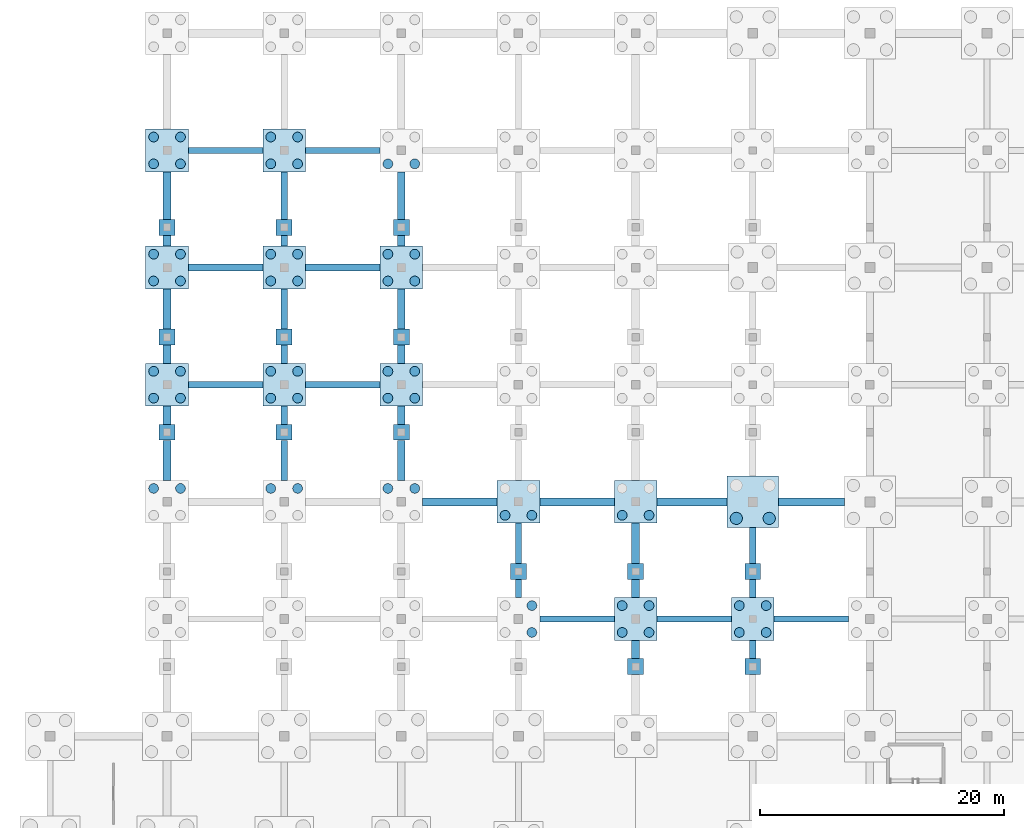
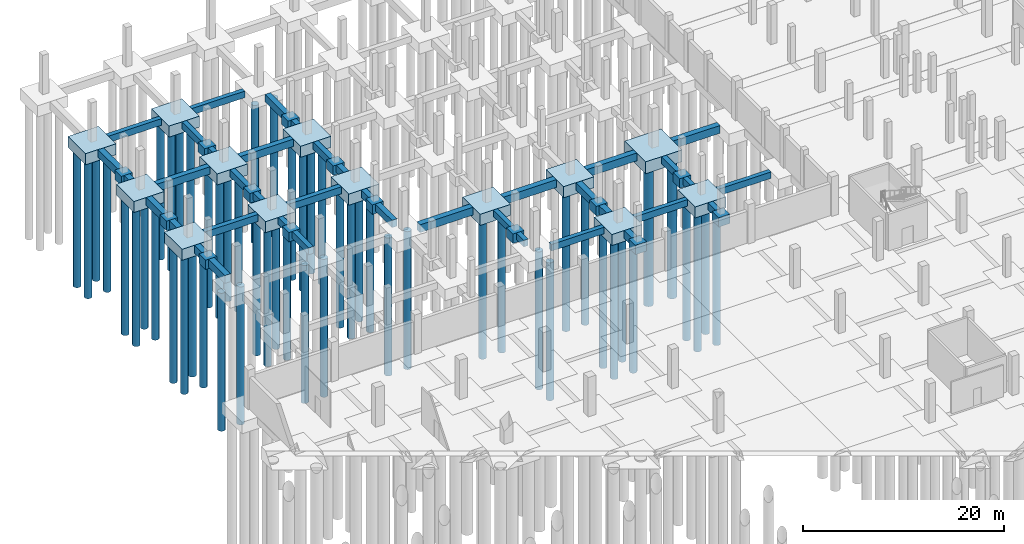
# One storey, part 7 of 39: 66 footings, 56 piles.
"""IFC4 building model written with IfcOpenShell, lengths in metres."""

import ifcopenshell
import ifcopenshell.guid

model = None  # the IFC model being written
_history = None  # IfcOwnerHistory: only IFC2X3 demands one
_inside = {}  # id of a spatial element -> (the spatial element, [elements in it])
_under = {}  # id of a project, library or spatial element -> (it, [spatial elements below it])
_declared = {}  # id of a project -> (the project, [libraries it declares])
_typed = {}  # id of a type object -> (the type object, [elements of that type])
_made_of = {}  # id of a material, layer set ... -> (it, [elements and type objects made of it])


def new_model(schema):
    """Start an empty IFC model of exactly this schema.

    Asked for "IFC4X3", IfcOpenShell would pick the latest addendum, in which some entities
    have other attributes; the version numbers below select the first issue.
    IFC2X3 requires an IfcOwnerHistory on every rooted entity: one is made here for all.
    """
    global model, _history
    if schema == "IFC4X3":
        model = ifcopenshell.file(schema_version=(4, 3, 0, 0))
    else:
        model = ifcopenshell.file(schema=schema)
    _inside.clear()
    _under.clear()
    _declared.clear()
    _typed.clear()
    _made_of.clear()
    _history = None
    if model.schema == "IFC2X3":
        org = make("IfcOrganization", Name="unknown")
        user = make(
            "IfcPersonAndOrganization",
            ThePerson=make("IfcPerson", FamilyName="unknown"),
            TheOrganization=org,
        )
        app = make(
            "IfcApplication",
            ApplicationDeveloper=org,
            Version="unknown",
            ApplicationFullName="unknown",
            ApplicationIdentifier="unknown",
        )
        _history = make(
            "IfcOwnerHistory",
            OwningUser=user,
            OwningApplication=app,
            ChangeAction="ADDED",
            CreationDate=0,
        )
    return model


def make(cls, **values):
    """One entity of the class cls with the attributes given. An attribute that is None is left unset."""
    return model.create_entity(
        cls, **{name: value for name, value in values.items() if value is not None}
    )


def rooted(cls, **values):
    """An entity with a GlobalId (a new one), such as an element, a storey or a relation."""
    return make(cls, GlobalId=ifcopenshell.guid.new(), OwnerHistory=_history, **values)


def si_unit(unit_type, name, prefix=None):
    """IfcSIUnit, for example si_unit("LENGTHUNIT", "METRE", prefix="MILLI")."""
    return make("IfcSIUnit", UnitType=unit_type, Prefix=prefix, Name=name)


def assignment(units):
    """IfcUnitAssignment: the units of a project."""
    return None if units is None else make("IfcUnitAssignment", Units=units)


def point(xyz):
    """IfcCartesianPoint."""
    return None if xyz is None else make("IfcCartesianPoint", Coordinates=xyz)


def direction(xyz):
    """IfcDirection."""
    return None if xyz is None else make("IfcDirection", DirectionRatios=xyz)


def frame(location, z_axis=None, x_axis=None):
    """IfcAxis2Placement3D, a coordinate frame: its origin and axes. An axis left out is left unset."""
    return make(
        "IfcAxis2Placement3D",
        Location=point(location),
        Axis=direction(z_axis),
        RefDirection=direction(x_axis),
    )


def frame_2d(location, x_axis=None):
    """IfcAxis2Placement2D, a coordinate frame in the plane: its origin and x axis."""
    return make(
        "IfcAxis2Placement2D", Location=point(location), RefDirection=direction(x_axis)
    )


def origin():
    """The frame at (0, 0, 0) with its axes left unset."""
    return frame((0.0, 0.0, 0.0))


def origin_2d():
    """The frame at (0, 0) in the plane with its x axis left unset."""
    return frame_2d((0.0, 0.0))


def place(relative_to, where):
    """IfcLocalPlacement: puts the frame where relative to a parent placement (None: the world)."""
    return make(
        "IfcLocalPlacement", PlacementRelTo=relative_to, RelativePlacement=where
    )


def context(
    kind, dimensions, precision=None, world=None, true_north=None, identifier=None
):
    """IfcGeometricRepresentationContext, for example the 3D "Model" context."""
    return make(
        "IfcGeometricRepresentationContext",
        ContextIdentifier=identifier,
        ContextType=kind,
        CoordinateSpaceDimension=dimensions,
        Precision=precision,
        WorldCoordinateSystem=world,
        TrueNorth=true_north,
    )


def subcontext(parent, identifier, kind, view, scale=None):
    """IfcGeometricRepresentationSubContext, for example "Body" below "Model"."""
    return make(
        "IfcGeometricRepresentationSubContext",
        ContextIdentifier=identifier,
        ContextType=kind,
        ParentContext=parent,
        TargetScale=scale,
        TargetView=view,
    )


def project(units=None, contexts=None):
    """IfcProject with its units and contexts."""
    return rooted(
        "IfcProject",
        Name="project",
        RepresentationContexts=contexts,
        UnitsInContext=assignment(units),
    )


def spatial(cls, under=None, at=None, **own):
    """A site, building, storey or space (cls), placed at a placement, below another one or the project."""
    s = rooted(cls, ObjectPlacement=at, **own)
    if under is not None:
        _under.setdefault(under.id(), (under, []))[1].append(s)
    return s


def polyline(points):
    """IfcPolyline through the points."""
    return make("IfcPolyline", Points=[point(p) for p in points])


def profile(cls, at=None, kind="AREA", **sizes):
    """A parametric profile (cls). Its sizes go by their IFC names, for example OverallWidth=200.0."""
    return make(cls, ProfileType=kind, Position=at, **sizes)


def rectangle(**sizes):
    """IfcRectangleProfileDef."""
    return profile("IfcRectangleProfileDef", **sizes)


def circle(**sizes):
    """IfcCircleProfileDef."""
    return profile("IfcCircleProfileDef", **sizes)


def outline(outer, holes=None, kind="AREA"):
    """IfcArbitraryClosedProfileDef: a profile drawn as a closed curve; with holes, ...WithVoids."""
    if holes is None:
        return make("IfcArbitraryClosedProfileDef", ProfileType=kind, OuterCurve=outer)
    return make(
        "IfcArbitraryProfileDefWithVoids",
        ProfileType=kind,
        OuterCurve=outer,
        InnerCurves=holes,
    )


def extrude(swept, where, along, depth):
    """IfcExtrudedAreaSolid: the profile swept, set in the frame where, extruded along a direction by depth."""
    return make(
        "IfcExtrudedAreaSolid",
        SweptArea=swept,
        Position=where,
        ExtrudedDirection=direction(along),
        Depth=depth,
    )


def shape(context_of_items, identifier, shape_type, items):
    """IfcShapeRepresentation: the items that make up one representation, for example the "Body"."""
    return make(
        "IfcShapeRepresentation",
        ContextOfItems=context_of_items,
        RepresentationIdentifier=identifier,
        RepresentationType=shape_type,
        Items=items,
    )


def material(Name=None, Category=None):
    """IfcMaterial."""
    return make("IfcMaterial", Name=Name, Category=Category)


def material_profile(
    of_material, cross_section, Name=None, Category=None, Priority=None
):
    """IfcMaterialProfile: a cross section and its material."""
    return make(
        "IfcMaterialProfile",
        Name=Name,
        Material=of_material,
        Profile=cross_section,
        Priority=Priority,
        Category=Category,
    )


def profile_set(profiles, Name=None, composite=None):
    """IfcMaterialProfileSet."""
    return make(
        "IfcMaterialProfileSet",
        Name=Name,
        MaterialProfiles=profiles,
        CompositeProfile=composite,
    )


def made_of(thing, what):
    """Note that an element or type object is made of a material, layer set ...; save() writes the relation."""
    if what is not None:
        _made_of.setdefault(what.id(), (what, []))[1].append(thing)
    return thing


def type_object(cls, material=None, **own):
    """A type object (cls), such as IfcWallType, which elements share."""
    return made_of(rooted(cls, **own), material)


def element(
    cls,
    number,
    at=None,
    inside=None,
    cuts=None,
    type_object=None,
    material=None,
    context=None,
    identifier="Body",
    shape_type=None,
    held_by="IfcProductDefinitionShape",
    body=None,
    shapes=None,
    **own,
):
    """One element of the class cls, such as IfcWall. Its Tag is "e" and its number.

    at: its placement. inside: the storey or other place that contains it. cuts: it is an
    opening in that element (IfcRelVoidsElement). A single representation is given by context,
    identifier, shape_type and body (its items); several are given by shapes. held_by: the class
    of the entity that holds the representations. save() writes the other relations.
    """
    e = rooted(cls, Tag="e%d" % number, ObjectPlacement=at, **own)
    if body is not None:
        shapes = [shape(context, identifier, shape_type, body)]
    if shapes is not None:
        e.Representation = make(held_by, Representations=shapes)
    if inside is not None:
        _inside.setdefault(inside.id(), (inside, []))[1].append(e)
    if cuts is not None:
        rooted(
            "IfcRelVoidsElement", RelatingBuildingElement=cuts, RelatedOpeningElement=e
        )
    if type_object is not None:
        _typed.setdefault(type_object.id(), (type_object, []))[1].append(e)
    return made_of(e, material)


def aggregate(whole, parts):
    """IfcRelAggregates: a whole, such as a stair, and the parts it consists of."""
    return rooted("IfcRelAggregates", RelatingObject=whole, RelatedObjects=parts)


def save(model, path):
    """Write the relations noted so far, then the file.

    IfcRelAggregates (storeys below a building ...), IfcRelContainedInSpatialStructure (elements
    in a storey), IfcRelDefinesByType, IfcRelAssociatesMaterial and IfcRelDeclares: one each for
    every whole, place, type object, material and project.
    """
    for whole, parts in _under.values():
        aggregate(whole, parts)
    for where, things in _inside.values():
        rooted(
            "IfcRelContainedInSpatialStructure",
            RelatedElements=things,
            RelatingStructure=where,
        )
    for kind, things in _typed.values():
        rooted("IfcRelDefinesByType", RelatedObjects=things, RelatingType=kind)
    for what, things in _made_of.values():
        rooted("IfcRelAssociatesMaterial", RelatedObjects=things, RelatingMaterial=what)
    for by, libraries in _declared.values():
        rooted("IfcRelDeclares", RelatingContext=by, RelatedDefinitions=libraries)
    model.write(path)


model = new_model("IFC4")

# Units and contexts
model_context = context("Model", 3, precision=1e-05, world=origin(), true_north=direction((0.0, 1.0)))
body_context = subcontext(model_context, "Body", "Model", "MODEL_VIEW")
ifc_project = project(units=[si_unit("LENGTHUNIT", "METRE"), si_unit("AREAUNIT", "SQUARE_METRE"), si_unit("VOLUMEUNIT", "CUBIC_METRE"), si_unit("PLANEANGLEUNIT", "RADIAN"), si_unit("MASSUNIT", "GRAM", prefix="KILO")], contexts=[model_context])

# Site, building, storey
site_placement = place(None, origin())
site = spatial("IfcSite", under=ifc_project, at=site_placement, CompositionType="ELEMENT")
building_placement = place(site_placement, origin())
building = spatial("IfcBuilding", under=site, at=building_placement, Name="Zarnetskaya Central Station", CompositionType="ELEMENT")
storey_placement = place(building_placement, frame((0.0, 0.0, -4.800048828125)))
storey = spatial("IfcBuildingStorey", under=building, at=storey_placement, Name="B1", CompositionType="ELEMENT", Elevation=-4.800048828125)

# Footings
ifc_material_1 = material(Name="Concrete C30/37", Category="concrete")
footing_type_1 = type_object("IfcFootingType", Name="FB-500x800", PredefinedType="FOOTING_BEAM", material=ifc_material_1)
footing_1_placement = place(storey_placement, frame((0.0, 0.0, -0.800048828125)))
element("IfcFooting", 1, at=footing_1_placement, inside=storey, type_object=footing_type_1, Name="Footing tie beam 10 E-F", PredefinedType="FOOTING_BEAM", context=body_context, shape_type="SweptSolid", body=[
    extrude(outline(polyline([(40.14990234375, 76.550048828125), (46.25, 76.550048828125), (46.25, 77.050048828125), (40.14990234375, 77.050048828125), (40.14990234375, 76.550048828125)])), origin(), (0.0, 0.0, 1.0), 0.800048828125),
])
footing_2_placement = place(storey_placement, frame((0.0, 0.0, -0.800048828125)))
element("IfcFooting", 2, at=footing_2_placement, inside=storey, type_object=footing_type_1, Name="Footing tie beam 10 F-G", PredefinedType="FOOTING_BEAM", context=body_context, shape_type="SweptSolid", body=[
    extrude(outline(polyline([(49.75, 76.550048828125), (55.85009765625, 76.550048828125), (55.85009765625, 77.050048828125), (49.75, 77.050048828125), (49.75, 76.550048828125)])), origin(), (0.0, 0.0, 1.0), 0.800048828125),
])
footing_3_placement = place(storey_placement, frame((0.0, 0.0, -0.800048828125)))
element("IfcFooting", 3, at=footing_3_placement, inside=storey, type_object=footing_type_1, Name="Footing tie beam 10 G-H", PredefinedType="FOOTING_BEAM", context=body_context, shape_type="SweptSolid", body=[
    extrude(outline(polyline([(59.35009765625, 76.550048828125), (65.449951171875, 76.550048828125), (65.449951171875, 77.050048828125), (59.35009765625, 77.050048828125), (59.35009765625, 76.550048828125)])), origin(), (0.0, 0.0, 1.0), 0.800048828125),
])
footing_4_placement = place(storey_placement, frame((0.0, 0.0, -0.800048828125)))
element("IfcFooting", 4, at=footing_4_placement, inside=storey, type_object=footing_type_1, Name="Footing tie beam 14 B-C", PredefinedType="FOOTING_BEAM", context=body_context, shape_type="SweptSolid", body=[
    extrude(outline(polyline([(11.35009765625, 114.949951171875), (17.449951171875, 114.949951171875), (17.449951171875, 115.449951171875), (11.35009765625, 115.449951171875), (11.35009765625, 114.949951171875)])), origin(), (0.0, 0.0, 1.0), 0.800048828125),
])
footing_5_placement = place(storey_placement, frame((0.0, 0.0, -0.800048828125)))
element("IfcFooting", 5, at=footing_5_placement, inside=storey, type_object=footing_type_1, Name="Footing tie beam 14 C-D", PredefinedType="FOOTING_BEAM", context=body_context, shape_type="SweptSolid", body=[
    extrude(outline(polyline([(20.949951171875, 114.949951171875), (27.050048828125, 114.949951171875), (27.050048828125, 115.449951171875), (20.949951171875, 115.449951171875), (20.949951171875, 114.949951171875)])), origin(), (0.0, 0.0, 1.0), 0.800048828125),
])
footing_6_placement = place(storey_placement, frame((0.0, 0.0, -0.800048828125)))
element("IfcFooting", 6, at=footing_6_placement, inside=storey, type_object=footing_type_1, Name="Footing tie beam E 10-11 part 1", PredefinedType="FOOTING_BEAM", context=body_context, shape_type="SweptSolid", body=[
    extrude(outline(polyline([(38.14990234375, 78.550048828125), (38.64990234375, 78.550048828125), (38.64990234375, 80.050048828125), (38.14990234375, 80.050048828125), (38.14990234375, 78.550048828125)])), origin(), (0.0, 0.0, 1.0), 0.800048828125),
])
footing_7_placement = place(storey_placement, frame((0.0, 0.0, -0.800048828125)))
element("IfcFooting", 7, at=footing_7_placement, inside=storey, type_object=footing_type_1, Name="Footing tie beam E 10-11 part 2", PredefinedType="FOOTING_BEAM", context=body_context, shape_type="SweptSolid", body=[
    extrude(outline(polyline([(38.14990234375, 81.35009765625), (38.64990234375, 81.35009765625), (38.64990234375, 84.64990234375), (38.14990234375, 84.64990234375), (38.14990234375, 81.35009765625)])), origin(), (0.0, 0.0, 1.0), 0.800048828125),
])
footing_type_2 = type_object("IfcFootingType", Name="FB-550x850", PredefinedType="FOOTING_BEAM", material=ifc_material_1)
footing_8_placement = place(storey_placement, frame((0.0, 0.0, -0.849853515625)))
element("IfcFooting", 8, at=footing_8_placement, inside=storey, type_object=footing_type_2, Name="Footing tie beam 12 B-C", PredefinedType="FOOTING_BEAM", context=body_context, shape_type="SweptSolid", body=[
    extrude(outline(polyline([(11.35009765625, 95.72509765625), (17.449951171875, 95.72509765625), (17.449951171875, 96.27490234375), (11.35009765625, 96.27490234375), (11.35009765625, 95.72509765625)])), origin(), (0.0, 0.0, 1.0), 0.849853515625),
])
footing_9_placement = place(storey_placement, frame((0.0, 0.0, -0.849853515625)))
element("IfcFooting", 9, at=footing_9_placement, inside=storey, type_object=footing_type_2, Name="Footing tie beam 12 C-D", PredefinedType="FOOTING_BEAM", context=body_context, shape_type="SweptSolid", body=[
    extrude(outline(polyline([(20.949951171875, 95.72509765625), (27.050048828125, 95.72509765625), (27.050048828125, 96.27490234375), (20.949951171875, 96.27490234375), (20.949951171875, 95.72509765625)])), origin(), (0.0, 0.0, 1.0), 0.849853515625),
])
footing_10_placement = place(storey_placement, frame((0.0, 0.0, -0.849853515625)))
element("IfcFooting", 10, at=footing_10_placement, inside=storey, type_object=footing_type_2, Name="Footing tie beam C 11-12 part 1", PredefinedType="FOOTING_BEAM", context=body_context, shape_type="SweptSolid", body=[
    extrude(outline(polyline([(18.925048828125, 88.14990234375), (19.47509765625, 88.14990234375), (19.47509765625, 91.449951171875), (18.925048828125, 91.449951171875), (18.925048828125, 88.14990234375)])), origin(), (0.0, 0.0, 1.0), 0.849853515625),
])
footing_11_placement = place(storey_placement, frame((0.0, 0.0, -0.849853515625)))
element("IfcFooting", 11, at=footing_11_placement, inside=storey, type_object=footing_type_2, Name="Footing tie beam C 11-12 part 2", PredefinedType="FOOTING_BEAM", context=body_context, shape_type="SweptSolid", body=[
    extrude(outline(polyline([(18.925048828125, 92.75), (19.47509765625, 92.75), (19.47509765625, 94.25), (18.925048828125, 94.25), (18.925048828125, 92.75)])), origin(), (0.0, 0.0, 1.0), 0.849853515625),
])
footing_12_placement = place(storey_placement, frame((0.0, 0.0, -0.849853515625)))
element("IfcFooting", 12, at=footing_12_placement, inside=storey, type_object=footing_type_2, Name="Footing tie beam C 12-13 part 1", PredefinedType="FOOTING_BEAM", context=body_context, shape_type="SweptSolid", body=[
    extrude(outline(polyline([(18.925048828125, 97.75), (19.47509765625, 97.75), (19.47509765625, 99.25), (18.925048828125, 99.25), (18.925048828125, 97.75)])), origin(), (0.0, 0.0, 1.0), 0.849853515625),
])
footing_13_placement = place(storey_placement, frame((0.0, 0.0, -0.849853515625)))
element("IfcFooting", 13, at=footing_13_placement, inside=storey, type_object=footing_type_2, Name="Footing tie beam C 12-13 part 2", PredefinedType="FOOTING_BEAM", context=body_context, shape_type="SweptSolid", body=[
    extrude(outline(polyline([(18.925048828125, 100.550048828125), (19.47509765625, 100.550048828125), (19.47509765625, 103.85009765625), (18.925048828125, 103.85009765625), (18.925048828125, 100.550048828125)])), origin(), (0.0, 0.0, 1.0), 0.849853515625),
])
footing_14_placement = place(storey_placement, frame((0.0, 0.0, -0.849853515625)))
element("IfcFooting", 14, at=footing_14_placement, inside=storey, type_object=footing_type_2, Name="Footing tie beam C 13-14 part 1", PredefinedType="FOOTING_BEAM", context=body_context, shape_type="SweptSolid", body=[
    extrude(outline(polyline([(18.925048828125, 107.35009765625), (19.47509765625, 107.35009765625), (19.47509765625, 108.25), (18.925048828125, 108.25), (18.925048828125, 107.35009765625)])), origin(), (0.0, 0.0, 1.0), 0.849853515625),
])
footing_15_placement = place(storey_placement, frame((0.0, 0.0, -0.849853515625)))
element("IfcFooting", 15, at=footing_15_placement, inside=storey, type_object=footing_type_2, Name="Footing tie beam C 13-14 part 2", PredefinedType="FOOTING_BEAM", context=body_context, shape_type="SweptSolid", body=[
    extrude(outline(polyline([(18.925048828125, 109.550048828125), (19.47509765625, 109.550048828125), (19.47509765625, 113.449951171875), (18.925048828125, 113.449951171875), (18.925048828125, 109.550048828125)])), origin(), (0.0, 0.0, 1.0), 0.849853515625),
])
footing_16_placement = place(storey_placement, frame((0.0, 0.0, -0.849853515625)))
element("IfcFooting", 16, at=footing_16_placement, inside=storey, type_object=footing_type_2, Name="Footing tie beam G 9-10 part 2", PredefinedType="FOOTING_BEAM", context=body_context, shape_type="SweptSolid", body=[
    extrude(outline(polyline([(57.324951171875, 73.550048828125), (57.875, 73.550048828125), (57.875, 75.050048828125), (57.324951171875, 75.050048828125), (57.324951171875, 73.550048828125)])), origin(), (0.0, 0.0, 1.0), 0.849853515625),
])
footing_17_placement = place(storey_placement, frame((0.0, 0.0, -0.849853515625)))
element("IfcFooting", 17, at=footing_17_placement, inside=storey, type_object=footing_type_2, Name="Footing tie beam G 10-11 part 1", PredefinedType="FOOTING_BEAM", context=body_context, shape_type="SweptSolid", body=[
    extrude(outline(polyline([(57.324951171875, 78.550048828125), (57.875, 78.550048828125), (57.875, 80.050048828125), (57.324951171875, 80.050048828125), (57.324951171875, 78.550048828125)])), origin(), (0.0, 0.0, 1.0), 0.849853515625),
])
footing_18_placement = place(storey_placement, frame((0.0, 0.0, -0.849853515625)))
element("IfcFooting", 18, at=footing_18_placement, inside=storey, type_object=footing_type_2, Name="Footing tie beam G 10-11 part 2", PredefinedType="FOOTING_BEAM", context=body_context, shape_type="SweptSolid", body=[
    extrude(outline(polyline([(57.324951171875, 81.35009765625), (57.875, 81.35009765625), (57.875, 84.300048828125), (57.324951171875, 84.300048828125), (57.324951171875, 81.35009765625)])), origin(), (0.0, 0.0, 1.0), 0.849853515625),
])
footing_type_3 = type_object("IfcFootingType", Name="FB-600x900", PredefinedType="FOOTING_BEAM", material=ifc_material_1)
footing_19_placement = place(storey_placement, frame((0.0, 0.0, -0.89990234375)))
element("IfcFooting", 19, at=footing_19_placement, inside=storey, type_object=footing_type_3, Name="Footing tie beam 13 B-C", PredefinedType="FOOTING_BEAM", context=body_context, shape_type="SweptSolid", body=[
    extrude(outline(polyline([(11.35009765625, 105.300048828125), (17.449951171875, 105.300048828125), (17.449951171875, 105.89990234375), (11.35009765625, 105.89990234375), (11.35009765625, 105.300048828125)])), origin(), (0.0, 0.0, 1.0), 0.89990234375),
])
footing_20_placement = place(storey_placement, frame((0.0, 0.0, -0.89990234375)))
element("IfcFooting", 20, at=footing_20_placement, inside=storey, type_object=footing_type_3, Name="Footing tie beam 13 C-D", PredefinedType="FOOTING_BEAM", context=body_context, shape_type="SweptSolid", body=[
    extrude(outline(polyline([(20.949951171875, 105.300048828125), (27.050048828125, 105.300048828125), (27.050048828125, 105.89990234375), (20.949951171875, 105.89990234375), (20.949951171875, 105.300048828125)])), origin(), (0.0, 0.0, 1.0), 0.89990234375),
])
footing_21_placement = place(storey_placement, frame((0.0, 0.0, -0.89990234375)))
element("IfcFooting", 21, at=footing_21_placement, inside=storey, type_object=footing_type_3, Name="Footing tie beam D 11-12 part 1", PredefinedType="FOOTING_BEAM", context=body_context, shape_type="SweptSolid", body=[
    extrude(outline(polyline([(28.5, 88.14990234375), (29.10009765625, 88.14990234375), (29.10009765625, 91.449951171875), (28.5, 91.449951171875), (28.5, 88.14990234375)])), origin(), (0.0, 0.0, 1.0), 0.89990234375),
])
footing_22_placement = place(storey_placement, frame((0.0, 0.0, -0.89990234375)))
element("IfcFooting", 22, at=footing_22_placement, inside=storey, type_object=footing_type_3, Name="Footing tie beam D 11-12 part 2", PredefinedType="FOOTING_BEAM", context=body_context, shape_type="SweptSolid", body=[
    extrude(outline(polyline([(28.5, 92.75), (29.10009765625, 92.75), (29.10009765625, 94.25), (28.5, 94.25), (28.5, 92.75)])), origin(), (0.0, 0.0, 1.0), 0.89990234375),
])
footing_23_placement = place(storey_placement, frame((0.0, 0.0, -0.89990234375)))
element("IfcFooting", 23, at=footing_23_placement, inside=storey, type_object=footing_type_3, Name="Footing tie beam D 12-13 part 1", PredefinedType="FOOTING_BEAM", context=body_context, shape_type="SweptSolid", body=[
    extrude(outline(polyline([(28.5, 97.75), (29.10009765625, 97.75), (29.10009765625, 99.25), (28.5, 99.25), (28.5, 97.75)])), origin(), (0.0, 0.0, 1.0), 0.89990234375),
])
footing_24_placement = place(storey_placement, frame((0.0, 0.0, -0.89990234375)))
element("IfcFooting", 24, at=footing_24_placement, inside=storey, type_object=footing_type_3, Name="Footing tie beam D 12-13 part 2", PredefinedType="FOOTING_BEAM", context=body_context, shape_type="SweptSolid", body=[
    extrude(outline(polyline([(28.5, 100.550048828125), (29.10009765625, 100.550048828125), (29.10009765625, 103.85009765625), (28.5, 103.85009765625), (28.5, 100.550048828125)])), origin(), (0.0, 0.0, 1.0), 0.89990234375),
])
footing_25_placement = place(storey_placement, frame((0.0, 0.0, -0.89990234375)))
element("IfcFooting", 25, at=footing_25_placement, inside=storey, type_object=footing_type_3, Name="Footing tie beam D 13-14 part 1", PredefinedType="FOOTING_BEAM", context=body_context, shape_type="SweptSolid", body=[
    extrude(outline(polyline([(28.5, 107.35009765625), (29.10009765625, 107.35009765625), (29.10009765625, 108.25), (28.5, 108.25), (28.5, 107.35009765625)])), origin(), (0.0, 0.0, 1.0), 0.89990234375),
])
footing_26_placement = place(storey_placement, frame((0.0, 0.0, -0.89990234375)))
element("IfcFooting", 26, at=footing_26_placement, inside=storey, type_object=footing_type_3, Name="Footing tie beam D 13-14 part 2", PredefinedType="FOOTING_BEAM", context=body_context, shape_type="SweptSolid", body=[
    extrude(outline(polyline([(28.5, 109.550048828125), (29.10009765625, 109.550048828125), (29.10009765625, 113.449951171875), (28.5, 113.449951171875), (28.5, 109.550048828125)])), origin(), (0.0, 0.0, 1.0), 0.89990234375),
])
footing_type_4 = type_object("IfcFootingType", Name="FB-650x950", PredefinedType="FOOTING_BEAM", material=ifc_material_1)
footing_27_placement = place(storey_placement, frame((0.0, 0.0, -0.949951171875)))
element("IfcFooting", 27, at=footing_27_placement, inside=storey, type_object=footing_type_4, Name="Footing tie beam 11 D-E", PredefinedType="FOOTING_BEAM", context=body_context, shape_type="SweptSolid", body=[
    extrude(outline(polyline([(30.550048828125, 86.074951171875), (36.64990234375, 86.074951171875), (36.64990234375, 86.72509765625), (30.550048828125, 86.72509765625), (30.550048828125, 86.074951171875)])), origin(), (0.0, 0.0, 1.0), 0.949951171875),
])
footing_28_placement = place(storey_placement, frame((0.0, 0.0, -0.949951171875)))
element("IfcFooting", 28, at=footing_28_placement, inside=storey, type_object=footing_type_4, Name="Footing tie beam 11 E-F", PredefinedType="FOOTING_BEAM", context=body_context, shape_type="SweptSolid", body=[
    extrude(outline(polyline([(40.14990234375, 86.074951171875), (46.25, 86.074951171875), (46.25, 86.72509765625), (40.14990234375, 86.72509765625), (40.14990234375, 86.074951171875)])), origin(), (0.0, 0.0, 1.0), 0.949951171875),
])
footing_29_placement = place(storey_placement, frame((0.0, 0.0, -0.949951171875)))
element("IfcFooting", 29, at=footing_29_placement, inside=storey, type_object=footing_type_4, Name="Footing tie beam 11 F-G", PredefinedType="FOOTING_BEAM", context=body_context, shape_type="SweptSolid", body=[
    extrude(outline(polyline([(49.75, 86.074951171875), (55.5, 86.074951171875), (55.5, 86.72509765625), (49.75, 86.72509765625), (49.75, 86.074951171875)])), origin(), (0.0, 0.0, 1.0), 0.949951171875),
])
footing_30_placement = place(storey_placement, frame((0.0, 0.0, -0.949951171875)))
element("IfcFooting", 30, at=footing_30_placement, inside=storey, type_object=footing_type_4, Name="Footing tie beam 11 G-H", PredefinedType="FOOTING_BEAM", context=body_context, shape_type="SweptSolid", body=[
    extrude(outline(polyline([(59.699951171875, 86.074951171875), (65.10009765625, 86.074951171875), (65.10009765625, 86.72509765625), (59.699951171875, 86.72509765625), (59.699951171875, 86.074951171875)])), origin(), (0.0, 0.0, 1.0), 0.949951171875),
])
footing_31_placement = place(storey_placement, frame((0.0, 0.0, -0.949951171875)))
element("IfcFooting", 31, at=footing_31_placement, inside=storey, type_object=footing_type_4, Name="Footing tie beam B 11-12 part 1", PredefinedType="FOOTING_BEAM", context=body_context, shape_type="SweptSolid", body=[
    extrude(outline(polyline([(9.27490234375, 88.14990234375), (9.925048828125, 88.14990234375), (9.925048828125, 91.449951171875), (9.27490234375, 91.449951171875), (9.27490234375, 88.14990234375)])), origin(), (0.0, 0.0, 1.0), 0.949951171875),
])
footing_32_placement = place(storey_placement, frame((0.0, 0.0, -0.949951171875)))
element("IfcFooting", 32, at=footing_32_placement, inside=storey, type_object=footing_type_4, Name="Footing tie beam B 11-12 part 2", PredefinedType="FOOTING_BEAM", context=body_context, shape_type="SweptSolid", body=[
    extrude(outline(polyline([(9.27490234375, 92.75), (9.925048828125, 92.75), (9.925048828125, 94.25), (9.27490234375, 94.25), (9.27490234375, 92.75)])), origin(), (0.0, 0.0, 1.0), 0.949951171875),
])
footing_33_placement = place(storey_placement, frame((0.0, 0.0, -0.949951171875)))
element("IfcFooting", 33, at=footing_33_placement, inside=storey, type_object=footing_type_4, Name="Footing tie beam B 12-13 part 1", PredefinedType="FOOTING_BEAM", context=body_context, shape_type="SweptSolid", body=[
    extrude(outline(polyline([(9.27490234375, 97.75), (9.925048828125, 97.75), (9.925048828125, 99.25), (9.27490234375, 99.25), (9.27490234375, 97.75)])), origin(), (0.0, 0.0, 1.0), 0.949951171875),
])
footing_34_placement = place(storey_placement, frame((0.0, 0.0, -0.949951171875)))
element("IfcFooting", 34, at=footing_34_placement, inside=storey, type_object=footing_type_4, Name="Footing tie beam B 12-13 part 2", PredefinedType="FOOTING_BEAM", context=body_context, shape_type="SweptSolid", body=[
    extrude(outline(polyline([(9.27490234375, 100.550048828125), (9.925048828125, 100.550048828125), (9.925048828125, 103.85009765625), (9.27490234375, 103.85009765625), (9.27490234375, 100.550048828125)])), origin(), (0.0, 0.0, 1.0), 0.949951171875),
])
footing_35_placement = place(storey_placement, frame((0.0, 0.0, -0.949951171875)))
element("IfcFooting", 35, at=footing_35_placement, inside=storey, type_object=footing_type_4, Name="Footing tie beam B 13-14 part 1", PredefinedType="FOOTING_BEAM", context=body_context, shape_type="SweptSolid", body=[
    extrude(outline(polyline([(9.27490234375, 107.35009765625), (9.925048828125, 107.35009765625), (9.925048828125, 108.25), (9.27490234375, 108.25), (9.27490234375, 107.35009765625)])), origin(), (0.0, 0.0, 1.0), 0.949951171875),
])
footing_36_placement = place(storey_placement, frame((0.0, 0.0, -0.949951171875)))
element("IfcFooting", 36, at=footing_36_placement, inside=storey, type_object=footing_type_4, Name="Footing tie beam B 13-14 part 2", PredefinedType="FOOTING_BEAM", context=body_context, shape_type="SweptSolid", body=[
    extrude(outline(polyline([(9.27490234375, 109.550048828125), (9.925048828125, 109.550048828125), (9.925048828125, 113.449951171875), (9.27490234375, 113.449951171875), (9.27490234375, 109.550048828125)])), origin(), (0.0, 0.0, 1.0), 0.949951171875),
])
footing_37_placement = place(storey_placement, frame((0.0, 0.0, -0.949951171875)))
element("IfcFooting", 37, at=footing_37_placement, inside=storey, type_object=footing_type_4, Name="Footing tie beam F 9-10 part 2", PredefinedType="FOOTING_BEAM", context=body_context, shape_type="SweptSolid", body=[
    extrude(outline(polyline([(47.675048828125, 73.550048828125), (48.324951171875, 73.550048828125), (48.324951171875, 75.050048828125), (47.675048828125, 75.050048828125), (47.675048828125, 73.550048828125)])), origin(), (0.0, 0.0, 1.0), 0.949951171875),
])
footing_38_placement = place(storey_placement, frame((0.0, 0.0, -0.949951171875)))
element("IfcFooting", 38, at=footing_38_placement, inside=storey, type_object=footing_type_4, Name="Footing tie beam F 10-11 part 1", PredefinedType="FOOTING_BEAM", context=body_context, shape_type="SweptSolid", body=[
    extrude(outline(polyline([(47.675048828125, 78.550048828125), (48.324951171875, 78.550048828125), (48.324951171875, 80.050048828125), (47.675048828125, 80.050048828125), (47.675048828125, 78.550048828125)])), origin(), (0.0, 0.0, 1.0), 0.949951171875),
])
footing_39_placement = place(storey_placement, frame((0.0, 0.0, -0.949951171875)))
element("IfcFooting", 39, at=footing_39_placement, inside=storey, type_object=footing_type_4, Name="Footing tie beam F 10-11 part 2", PredefinedType="FOOTING_BEAM", context=body_context, shape_type="SweptSolid", body=[
    extrude(outline(polyline([(47.675048828125, 81.35009765625), (48.324951171875, 81.35009765625), (48.324951171875, 84.64990234375), (47.675048828125, 84.64990234375), (47.675048828125, 81.35009765625)])), origin(), (0.0, 0.0, 1.0), 0.949951171875),
])
ifc_material_2 = material(Name="Concrete C35/45", Category="concrete")
footing_type_5 = type_object("IfcFootingType", Name="PAD-PIER-130", PredefinedType="PAD_FOOTING", material=ifc_material_2)
for number, where, z_axis, x_axis, name in (
    (40, (48.0, 72.89990234375, -1.14990234375), (0.0, 0.0, 1.0), (1.0, 0.0, 0.0), "Platform pier pad P1-FN"),
    (41, (57.60009765625, 72.89990234375, -1.14990234375), (0.0, 0.0, 1.0), (1.0, 0.0, 0.0), "Platform pier pad P1-GN"),
    (42, (9.60009765625, 92.10009765625, -1.14990234375), (0.0, 0.0, 1.0), (1.0, 0.0, 0.0), "Platform pier pad P2-BN"),
    (43, (19.199951171875, 92.10009765625, -1.14990234375), (0.0, 0.0, 1.0), (1.0, 0.0, 0.0), "Platform pier pad P2-CN"),
    (44, (28.800048828125, 92.10009765625, -1.14990234375), (0.0, 0.0, 1.0), (1.0, 0.0, 0.0), "Platform pier pad P2-DN"),
    (45, (38.39990234375, 80.699951171875, -1.14990234375), (0.0, 0.0, 1.0), (1.0, 0.0, 0.0), "Platform pier pad P2-ES"),
    (46, (48.0, 80.699951171875, -1.14990234375), (0.0, 0.0, 1.0), (1.0, 0.0, 0.0), "Platform pier pad P2-FS"),
    (47, (57.60009765625, 80.699951171875, -1.14990234375), (0.0, 0.0, 1.0), (1.0, 0.0, 0.0), "Platform pier pad P2-GS"),
    (48, (9.60009765625, 99.89990234375, -1.14990234375), (0.0, 0.0, 1.0), (1.0, 0.0, 0.0), "Platform pier pad P3-BS"),
    (49, (9.60009765625, 108.89990234375, -1.14990234375), (0.0, 0.0, 1.0), (1.0, 0.0, 0.0), "Platform pier pad P3-BN"),
    (50, (19.199951171875, 99.89990234375, -1.14990234375), (0.0, 0.0, 1.0), (1.0, 0.0, 0.0), "Platform pier pad P3-CS"),
    (51, (19.199951171875, 108.89990234375, -1.14990234375), (0.0, 0.0, 1.0), (1.0, 0.0, 0.0), "Platform pier pad P3-CN"),
    (52, (28.800048828125, 99.89990234375, -1.14990234375), (0.0, 0.0, 1.0), (1.0, 0.0, 0.0), "Platform pier pad P3-DS"),
    (53, (28.800048828125, 108.89990234375, -1.14990234375), (0.0, 0.0, 1.0), (1.0, 0.0, 0.0), "Platform pier pad P3-DN"),
):
    element("IfcFooting", number, at=place(storey_placement, frame(where, z_axis=z_axis, x_axis=x_axis)), inside=storey, type_object=footing_type_5, Name=name, PredefinedType="PAD_FOOTING", context=body_context, shape_type="SweptSolid", body=[
        extrude(rectangle(XDim=1.300048828125, YDim=1.300048828125, at=origin_2d()), origin(), (0.0, 0.0, 1.0), 1.14990234375),
    ])
footing_type_6 = type_object("IfcFootingType", Name="PC-4P-1000A", PredefinedType="PILE_CAP", material=ifc_material_2)
footing_40_placement = place(storey_placement, frame((57.60009765625, 86.39990234375, -1.44970703125), z_axis=(0.0, 0.0, 1.0), x_axis=(1.0, 0.0, 0.0)))
element("IfcFooting", 54, at=footing_40_placement, inside=storey, type_object=footing_type_6, Name="Pile cap G11", PredefinedType="PILE_CAP", context=body_context, shape_type="SweptSolid", body=[
    extrude(rectangle(XDim=4.199951171875, YDim=4.199951171875, at=origin_2d()), origin(), (0.0, 0.0, 1.0), 1.449951171875),
])
footing_type_7 = type_object("IfcFootingType", Name="PC-4P-800A", PredefinedType="PILE_CAP", material=ifc_material_2)
for number, where, z_axis, x_axis, name in (
    (55, (9.60009765625, 96.0, -1.35009765625), (0.0, 0.0, 1.0), (1.0, 0.0, 0.0), "Pile cap B12"),
    (56, (9.60009765625, 105.60009765625, -1.35009765625), (0.0, 0.0, 1.0), (1.0, 0.0, 0.0), "Pile cap B13"),
    (57, (9.60009765625, 115.199951171875, -1.35009765625), (0.0, 0.0, 1.0), (1.0, 0.0, 0.0), "Pile cap B14"),
    (58, (19.199951171875, 96.0, -1.35009765625), (0.0, 0.0, 1.0), (1.0, 0.0, 0.0), "Pile cap C12"),
    (59, (19.199951171875, 105.60009765625, -1.35009765625), (0.0, 0.0, 1.0), (1.0, 0.0, 0.0), "Pile cap C13"),
    (60, (19.199951171875, 115.199951171875, -1.35009765625), (0.0, 0.0, 1.0), (1.0, 0.0, 0.0), "Pile cap C14"),
    (61, (28.800048828125, 96.0, -1.35009765625), (0.0, 0.0, 1.0), (1.0, 0.0, 0.0), "Pile cap D12"),
    (62, (28.800048828125, 105.60009765625, -1.35009765625), (0.0, 0.0, 1.0), (1.0, 0.0, 0.0), "Pile cap D13"),
    (63, (38.39990234375, 86.39990234375, -1.35009765625), (0.0, 0.0, 1.0), (1.0, 0.0, 0.0), "Pile cap E11"),
    (64, (48.0, 76.800048828125, -1.35009765625), (0.0, 0.0, 1.0), (1.0, 0.0, 0.0), "Pile cap F10"),
    (65, (48.0, 86.39990234375, -1.35009765625), (0.0, 0.0, 1.0), (1.0, 0.0, 0.0), "Pile cap F11"),
    (66, (57.60009765625, 76.800048828125, -1.35009765625), (0.0, 0.0, 1.0), (1.0, 0.0, 0.0), "Pile cap G10"),
):
    element("IfcFooting", number, at=place(storey_placement, frame(where, z_axis=z_axis, x_axis=x_axis)), inside=storey, type_object=footing_type_7, Name=name, PredefinedType="PILE_CAP", context=body_context, shape_type="SweptSolid", body=[
        extrude(rectangle(XDim=3.5, YDim=3.5, at=origin_2d()), origin(), (0.0, 0.0, 1.0), 1.35009765625),
    ])

# Piles
ifc_material_profile_1 = material_profile(ifc_material_2, circle(Radius=0.5, at=origin_2d()), Name="BORED PILE D1000")
ifc_profile_set_1 = profile_set([ifc_material_profile_1], Name="Concrete C35/45")
pile_type_1 = type_object("IfcPileType", Name="PILE-D1000", PredefinedType="BORED", material=ifc_profile_set_1)
for number, where, z_axis, x_axis, name in (
    (67, (56.25, 85.050048828125, -1.300048828125), (0.0, 0.0, -1.0), (1.0, 0.0, 0.0), "Bored pile G11-11"),
    (68, (58.949951171875, 85.050048828125, -1.300048828125), (0.0, 0.0, -1.0), (1.0, 0.0, 0.0), "Bored pile G11-21"),
):
    element("IfcPile", number, at=place(storey_placement, frame(where, z_axis=z_axis, x_axis=x_axis)), inside=storey, type_object=pile_type_1, Name=name, PredefinedType="BORED", context=body_context, shape_type="SweptSolid", body=[
        extrude(circle(Radius=0.5, at=origin_2d()), origin(), (0.0, 0.0, 1.0), 16.699951171875),
    ])
ifc_material_profile_2 = material_profile(ifc_material_2, circle(Radius=0.39990234375, at=origin_2d()), Name="BORED PILE D800")
ifc_profile_set_2 = profile_set([ifc_material_profile_2], Name="Concrete C35/45")
pile_type_2 = type_object("IfcPileType", Name="PILE-D800", PredefinedType="BORED", material=ifc_profile_set_2)
for number, where, z_axis, x_axis, name in (
    (69, (8.5, 87.5, -1.199951171875), (0.0, 0.0, -1.0), (1.0, 0.0, 0.0), "Bored pile B11-12"),
    (70, (10.699951171875, 87.5, -1.199951171875), (0.0, 0.0, -1.0), (1.0, 0.0, 0.0), "Bored pile B11-22"),
    (71, (8.5, 94.89990234375, -1.199951171875), (0.0, 0.0, -1.0), (1.0, 0.0, 0.0), "Bored pile B12-11"),
    (72, (8.5, 97.10009765625, -1.199951171875), (0.0, 0.0, -1.0), (1.0, 0.0, 0.0), "Bored pile B12-12"),
    (73, (10.699951171875, 94.89990234375, -1.199951171875), (0.0, 0.0, -1.0), (1.0, 0.0, 0.0), "Bored pile B12-21"),
    (74, (10.699951171875, 97.10009765625, -1.199951171875), (0.0, 0.0, -1.0), (1.0, 0.0, 0.0), "Bored pile B12-22"),
    (75, (8.5, 104.5, -1.199951171875), (0.0, 0.0, -1.0), (1.0, 0.0, 0.0), "Bored pile B13-11"),
    (76, (8.5, 106.699951171875, -1.199951171875), (0.0, 0.0, -1.0), (1.0, 0.0, 0.0), "Bored pile B13-12"),
    (77, (10.699951171875, 104.5, -1.199951171875), (0.0, 0.0, -1.0), (1.0, 0.0, 0.0), "Bored pile B13-21"),
    (78, (10.699951171875, 106.699951171875, -1.199951171875), (0.0, 0.0, -1.0), (1.0, 0.0, 0.0), "Bored pile B13-22"),
    (79, (8.5, 114.10009765625, -1.199951171875), (0.0, 0.0, -1.0), (1.0, 0.0, 0.0), "Bored pile B14-11"),
    (80, (8.5, 116.300048828125, -1.199951171875), (0.0, 0.0, -1.0), (1.0, 0.0, 0.0), "Bored pile B14-12"),
    (81, (10.699951171875, 114.10009765625, -1.199951171875), (0.0, 0.0, -1.0), (1.0, 0.0, 0.0), "Bored pile B14-21"),
    (82, (10.699951171875, 116.300048828125, -1.199951171875), (0.0, 0.0, -1.0), (1.0, 0.0, 0.0), "Bored pile B14-22"),
    (83, (18.10009765625, 87.5, -1.199951171875), (0.0, 0.0, -1.0), (1.0, 0.0, 0.0), "Bored pile C11-12"),
    (84, (20.300048828125, 87.5, -1.199951171875), (0.0, 0.0, -1.0), (1.0, 0.0, 0.0), "Bored pile C11-22"),
    (85, (18.10009765625, 94.89990234375, -1.199951171875), (0.0, 0.0, -1.0), (1.0, 0.0, 0.0), "Bored pile C12-11"),
    (86, (18.10009765625, 97.10009765625, -1.199951171875), (0.0, 0.0, -1.0), (1.0, 0.0, 0.0), "Bored pile C12-12"),
    (87, (20.300048828125, 94.89990234375, -1.199951171875), (0.0, 0.0, -1.0), (1.0, 0.0, 0.0), "Bored pile C12-21"),
    (88, (20.300048828125, 97.10009765625, -1.199951171875), (0.0, 0.0, -1.0), (1.0, 0.0, 0.0), "Bored pile C12-22"),
    (89, (18.10009765625, 104.5, -1.199951171875), (0.0, 0.0, -1.0), (1.0, 0.0, 0.0), "Bored pile C13-11"),
    (90, (18.10009765625, 106.699951171875, -1.199951171875), (0.0, 0.0, -1.0), (1.0, 0.0, 0.0), "Bored pile C13-12"),
    (91, (20.300048828125, 104.5, -1.199951171875), (0.0, 0.0, -1.0), (1.0, 0.0, 0.0), "Bored pile C13-21"),
    (92, (20.300048828125, 106.699951171875, -1.199951171875), (0.0, 0.0, -1.0), (1.0, 0.0, 0.0), "Bored pile C13-22"),
    (93, (18.10009765625, 114.10009765625, -1.199951171875), (0.0, 0.0, -1.0), (1.0, 0.0, 0.0), "Bored pile C14-11"),
    (94, (18.10009765625, 116.300048828125, -1.199951171875), (0.0, 0.0, -1.0), (1.0, 0.0, 0.0), "Bored pile C14-12"),
    (95, (20.300048828125, 114.10009765625, -1.199951171875), (0.0, 0.0, -1.0), (1.0, 0.0, 0.0), "Bored pile C14-21"),
    (96, (20.300048828125, 116.300048828125, -1.199951171875), (0.0, 0.0, -1.0), (1.0, 0.0, 0.0), "Bored pile C14-22"),
    (97, (27.699951171875, 87.5, -1.199951171875), (0.0, 0.0, -1.0), (1.0, 0.0, 0.0), "Bored pile D11-12"),
    (98, (29.89990234375, 87.5, -1.199951171875), (0.0, 0.0, -1.0), (1.0, 0.0, 0.0), "Bored pile D11-22"),
    (99, (27.699951171875, 94.89990234375, -1.199951171875), (0.0, 0.0, -1.0), (1.0, 0.0, 0.0), "Bored pile D12-11"),
    (100, (27.699951171875, 97.10009765625, -1.199951171875), (0.0, 0.0, -1.0), (1.0, 0.0, 0.0), "Bored pile D12-12"),
    (101, (29.89990234375, 94.89990234375, -1.199951171875), (0.0, 0.0, -1.0), (1.0, 0.0, 0.0), "Bored pile D12-21"),
    (102, (29.89990234375, 97.10009765625, -1.199951171875), (0.0, 0.0, -1.0), (1.0, 0.0, 0.0), "Bored pile D12-22"),
    (103, (27.699951171875, 104.5, -1.199951171875), (0.0, 0.0, -1.0), (1.0, 0.0, 0.0), "Bored pile D13-11"),
    (104, (27.699951171875, 106.699951171875, -1.199951171875), (0.0, 0.0, -1.0), (1.0, 0.0, 0.0), "Bored pile D13-12"),
    (105, (29.89990234375, 104.5, -1.199951171875), (0.0, 0.0, -1.0), (1.0, 0.0, 0.0), "Bored pile D13-21"),
    (106, (29.89990234375, 106.699951171875, -1.199951171875), (0.0, 0.0, -1.0), (1.0, 0.0, 0.0), "Bored pile D13-22"),
    (107, (27.699951171875, 114.10009765625, -1.199951171875), (0.0, 0.0, -1.0), (1.0, 0.0, 0.0), "Bored pile D14-11"),
    (108, (29.89990234375, 114.10009765625, -1.199951171875), (0.0, 0.0, -1.0), (1.0, 0.0, 0.0), "Bored pile D14-21"),
    (109, (39.5, 75.699951171875, -1.199951171875), (0.0, 0.0, -1.0), (1.0, 0.0, 0.0), "Bored pile E10-21"),
    (110, (39.5, 77.89990234375, -1.199951171875), (0.0, 0.0, -1.0), (1.0, 0.0, 0.0), "Bored pile E10-22"),
    (111, (37.300048828125, 85.300048828125, -1.199951171875), (0.0, 0.0, -1.0), (1.0, 0.0, 0.0), "Bored pile E11-11"),
    (112, (39.5, 85.300048828125, -1.199951171875), (0.0, 0.0, -1.0), (1.0, 0.0, 0.0), "Bored pile E11-21"),
    (113, (46.89990234375, 75.699951171875, -1.199951171875), (0.0, 0.0, -1.0), (1.0, 0.0, 0.0), "Bored pile F10-11"),
    (114, (46.89990234375, 77.89990234375, -1.199951171875), (0.0, 0.0, -1.0), (1.0, 0.0, 0.0), "Bored pile F10-12"),
    (115, (49.10009765625, 75.699951171875, -1.199951171875), (0.0, 0.0, -1.0), (1.0, 0.0, 0.0), "Bored pile F10-21"),
    (116, (49.10009765625, 77.89990234375, -1.199951171875), (0.0, 0.0, -1.0), (1.0, 0.0, 0.0), "Bored pile F10-22"),
    (117, (46.89990234375, 85.300048828125, -1.199951171875), (0.0, 0.0, -1.0), (1.0, 0.0, 0.0), "Bored pile F11-11"),
    (118, (49.10009765625, 85.300048828125, -1.199951171875), (0.0, 0.0, -1.0), (1.0, 0.0, 0.0), "Bored pile F11-21"),
    (119, (56.5, 75.699951171875, -1.199951171875), (0.0, 0.0, -1.0), (1.0, 0.0, 0.0), "Bored pile G10-11"),
    (120, (56.5, 77.89990234375, -1.199951171875), (0.0, 0.0, -1.0), (1.0, 0.0, 0.0), "Bored pile G10-12"),
    (121, (58.699951171875, 75.699951171875, -1.199951171875), (0.0, 0.0, -1.0), (1.0, 0.0, 0.0), "Bored pile G10-21"),
    (122, (58.699951171875, 77.89990234375, -1.199951171875), (0.0, 0.0, -1.0), (1.0, 0.0, 0.0), "Bored pile G10-22"),
):
    element("IfcPile", number, at=place(storey_placement, frame(where, z_axis=z_axis, x_axis=x_axis)), inside=storey, type_object=pile_type_2, Name=name, PredefinedType="BORED", context=body_context, shape_type="SweptSolid", body=[
        extrude(circle(Radius=0.39990234375, at=origin_2d()), origin(), (0.0, 0.0, 1.0), 16.800048828125),
    ])

save(model, "model.ifc")
